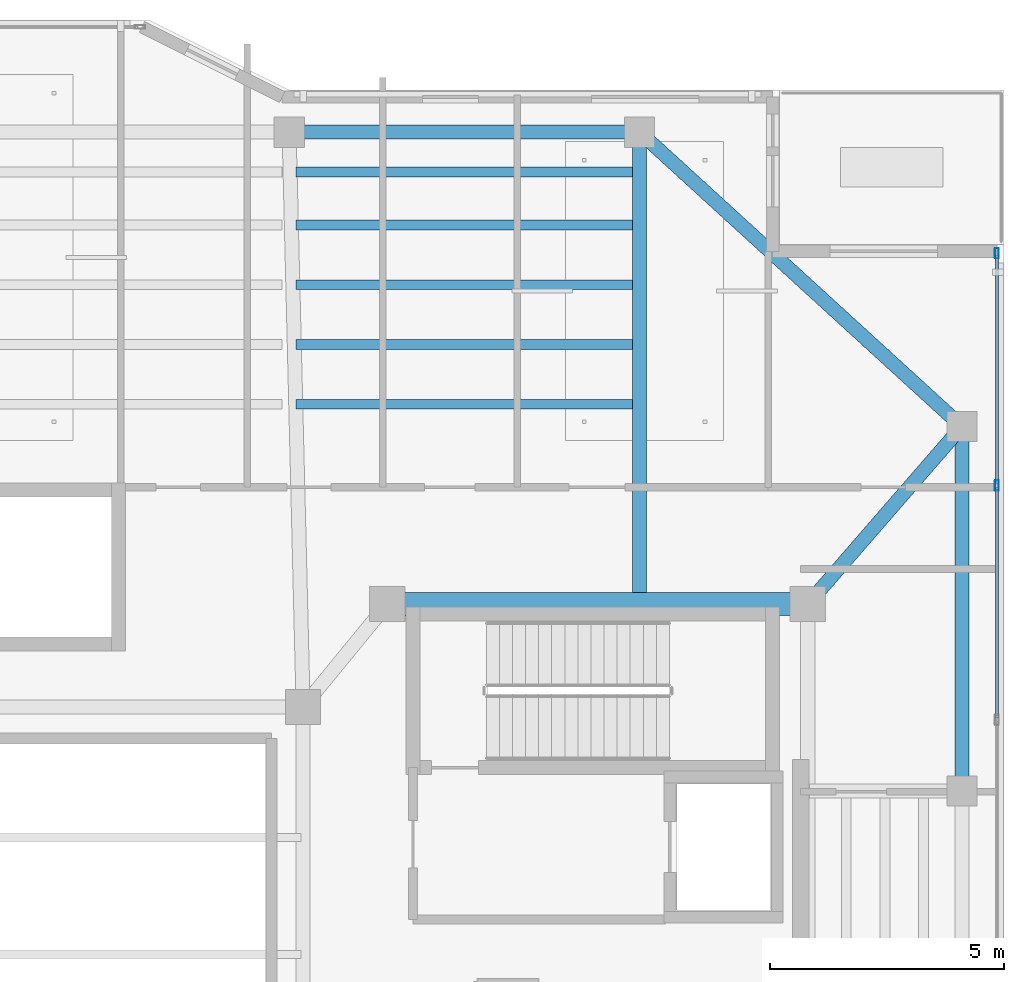
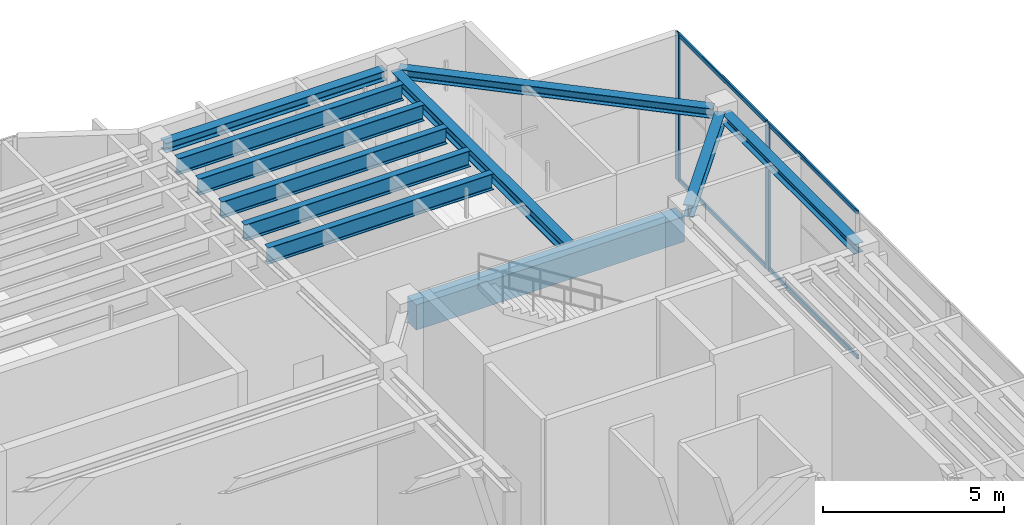
# One storey, part 12 of 23: 11 beams, 6 members, 1 element without a shape of its own.
"""IFC4 building model written with IfcOpenShell, lengths in metres."""

from ifc_helpers import new_model, si_unit, direction, frame, origin, origin_2d, place, context, subcontext, project, spatial, rectangle, hollow_rectangle, i_section, extrude, material, layer, layer_set, material_profile, profile_set, type_object, element, aggregate, save


model = new_model("IFC4")

# Units and contexts
model_context = context("Model", 3, precision=1e-05, world=origin(), true_north=direction((0.0, 1.0)))
body_context = subcontext(model_context, "Body", "Model", "MODEL_VIEW")
ifc_project = project(units=[si_unit("LENGTHUNIT", "METRE"), si_unit("AREAUNIT", "SQUARE_METRE"), si_unit("VOLUMEUNIT", "CUBIC_METRE"), si_unit("PLANEANGLEUNIT", "RADIAN"), si_unit("MASSUNIT", "GRAM", prefix="KILO")], contexts=[model_context])

# Site, building, storey
site_placement = place(None, origin())
site = spatial("IfcSite", under=ifc_project, at=site_placement, CompositionType="ELEMENT")
building_placement = place(site_placement, origin())
building = spatial("IfcBuilding", under=site, at=building_placement, Name="Tarnavaz Court Tower", CompositionType="ELEMENT")
storey_placement = place(building_placement, frame((0.0, 0.0, 276.300048828125)))
storey = spatial("IfcBuildingStorey", under=building, at=storey_placement, Name="L75", CompositionType="ELEMENT", Elevation=276.300048828125)

# Beams
ifc_material_1 = material(Name="Concrete C50/60", Category="concrete")
ifc_material_profile_1 = material_profile(ifc_material_1, rectangle(XDim=0.5, YDim=0.85009765625, at=origin_2d()), Name="RC 500X850")
ifc_profile_set_1 = profile_set([ifc_material_profile_1], Name="Concrete C50/60")
beam_type_1 = type_object("IfcBeamType", Name="BM-CB850", PredefinedType="LINTEL", material=ifc_profile_set_1)
beam_1_placement = place(storey_placement, frame((18.3798828125, 10.0, 4.52490234375), z_axis=(-1.0, 0.0, 0.0), x_axis=(0.0, -1.0, 0.0)))
element("IfcBeam", 1, at=beam_1_placement, inside=storey, type_object=beam_type_1, Name="L75 Beam IN-CE-NO-CE-NI", PredefinedType="LINTEL", context=body_context, shape_type="SweptSolid", body=[
    extrude(rectangle(XDim=0.5, YDim=0.85009765625, at=origin_2d()), origin(), (0.0, 0.0, 1.0), 8.559814453125),
])
ifc_material_2 = material(Name="Steel S355", Category="steel")
ifc_material_profile_2 = material_profile(ifc_material_2, i_section(OverallWidth=0.300048828125, OverallDepth=0.39990234375, WebThickness=0.013427734375, FlangeThickness=0.02392578125, FilletRadius=0.027099609375, at=origin_2d()), Name="HEB 400")
ifc_profile_set_2 = profile_set([ifc_material_profile_2], Name="Steel S355")
beam_type_2 = type_object("IfcBeamType", Name="BM-G-HEB400", PredefinedType="USERDEFINED", material=ifc_profile_set_2)
beam_2_placement = place(storey_placement, frame((15.0, 10.0400390625, 4.75), z_axis=(0.0, 1.0, 0.0), x_axis=(-1.0, 0.0, 0.0)))
element("IfcBeam", 2, at=beam_2_placement, inside=storey, type_object=beam_type_2, Name="L75 Beam RG-04", ObjectType="GIRDER", PredefinedType="USERDEFINED", context=body_context, shape_type="SweptSolid", body=[
    extrude(i_section(OverallWidth=0.300048828125, OverallDepth=0.39990234375, WebThickness=0.013427734375, FlangeThickness=0.02392578125, FilletRadius=0.027099609375, at=origin_2d()), origin(), (0.0, 0.0, 1.0), 9.83984375),
])
beam_3_placement = place(storey_placement, frame((18.744384765625, 10.166015625, 4.75), z_axis=(0.65565475567, 0.755060819648, 0.0), x_axis=(-0.755060819648, 0.65565475567, 0.0)))
element("IfcBeam", 3, at=beam_3_placement, inside=storey, type_object=beam_type_2, Name="L75 Beam RG-12", ObjectType="GIRDER", PredefinedType="USERDEFINED", context=body_context, shape_type="SweptSolid", body=[
    extrude(i_section(OverallWidth=0.300048828125, OverallDepth=0.39990234375, WebThickness=0.013427734375, FlangeThickness=0.02392578125, FilletRadius=0.027099609375, at=origin_2d()), origin(), (0.0, 0.0, 1.0), 4.5927734375),
])
ifc_material_profile_3 = material_profile(ifc_material_2, i_section(OverallWidth=0.2099609375, OverallDepth=0.550048828125, WebThickness=0.010986328125, FlangeThickness=0.01708984375, FilletRadius=0.02392578125, at=origin_2d()), Name="IPE 550")
ifc_profile_set_3 = profile_set([ifc_material_profile_3], Name="Steel S355")
beam_type_3 = type_object("IfcBeamType", Name="BM-J-IPE550", PredefinedType="JOIST", material=ifc_profile_set_3)
for number, where, z_axis, x_axis, name in (
    (4, (7.64990234375, 14.278076171875, 4.675048828125), (1.0, 0.0, 0.0), (0.0, 1.0, 0.0), "L75 Beam JN1-3"),
    (5, (7.64990234375, 15.555908203125, 4.675048828125), (1.0, 0.0, 0.0), (0.0, 1.0, 0.0), "L75 Beam JN2-3"),
    (6, (7.64990234375, 16.833984375, 4.675048828125), (1.0, 0.0, 0.0), (0.0, 1.0, 0.0), "L75 Beam JN3-3"),
    (7, (7.64990234375, 18.112060546875, 4.675048828125), (1.0, 0.0, 0.0), (0.0, 1.0, 0.0), "L75 Beam JN4-3"),
    (8, (7.64990234375, 19.248046875, 4.675048828125), (1.0, 0.0, 0.0), (0.0, 1.0, 0.0), "L75 Beam JN5-3"),
):
    element("IfcBeam", number, at=place(storey_placement, frame(where, z_axis=z_axis, x_axis=x_axis)), inside=storey, type_object=beam_type_3, Name=name, PredefinedType="JOIST", context=body_context, shape_type="SweptSolid", body=[
        extrude(i_section(OverallWidth=0.2099609375, OverallDepth=0.550048828125, WebThickness=0.010986328125, FlangeThickness=0.01708984375, FilletRadius=0.02392578125, at=origin_2d()), origin(), (0.0, 0.0, 1.0), 7.2001953125),
    ])
ifc_material_profile_4 = material_profile(ifc_material_2, i_section(OverallWidth=0.300048828125, OverallDepth=0.330078125, WebThickness=0.009521484375, FlangeThickness=0.0166015625, FilletRadius=0.027099609375, at=origin_2d()), Name="HEA 340")
ifc_profile_set_4 = profile_set([ifc_material_profile_4], Name="Steel S355")
beam_type_4 = type_object("IfcBeamType", Name="BM-SP-HEA340", PredefinedType="BEAM", material=ifc_profile_set_4)
beam_4_placement = place(storey_placement, frame((7.719970703125, 20.10009765625, 4.784912109375), z_axis=(1.0, 0.0, 0.0), x_axis=(0.0, 1.0, 0.0)))
element("IfcBeam", 9, at=beam_4_placement, inside=storey, type_object=beam_type_4, Name="L75 Beam PR-PN-3-PN-4", PredefinedType="BEAM", context=body_context, shape_type="SweptSolid", body=[
    extrude(i_section(OverallWidth=0.300048828125, OverallDepth=0.330078125, WebThickness=0.009521484375, FlangeThickness=0.0166015625, FilletRadius=0.027099609375, at=origin_2d()), origin(), (0.0, 0.0, 1.0), 7.06005859375),
])
beam_5_placement = place(storey_placement, frame((21.89990234375, 6.219970703125, 4.784912109375), z_axis=(0.0, 1.0, 0.0), x_axis=(-1.0, 0.0, 0.0)))
element("IfcBeam", 10, at=beam_5_placement, inside=storey, type_object=beam_type_4, Name="L75 Beam PR-PE-3-PE-4", PredefinedType="BEAM", context=body_context, shape_type="SweptSolid", body=[
    extrude(i_section(OverallWidth=0.300048828125, OverallDepth=0.330078125, WebThickness=0.009521484375, FlangeThickness=0.0166015625, FilletRadius=0.027099609375, at=origin_2d()), origin(), (0.0, 0.0, 1.0), 7.360107421875),
])
beam_6_placement = place(storey_placement, frame((15.16259765625, 19.95166015625, 4.784912109375), z_axis=(0.738474214476, -0.674281717499, 0.0), x_axis=(0.674281717499, 0.738474214476, 0.0)))
element("IfcBeam", 11, at=beam_6_placement, inside=storey, type_object=beam_type_4, Name="L75 Beam PR-PN-4-PE-4", PredefinedType="BEAM", context=body_context, shape_type="SweptSolid", body=[
    extrude(i_section(OverallWidth=0.300048828125, OverallDepth=0.330078125, WebThickness=0.009521484375, FlangeThickness=0.0166015625, FilletRadius=0.027099609375, at=origin_2d()), origin(), (0.0, 0.0, 1.0), 8.9033203125),
])

# Curtain wall, members
ifc_material_3 = material(Name="Anodised Aluminium 6063-T6 and Solar Low-E Glazing", Category="aluminium")
ifc_layer = layer(ifc_material_3, 0.2099609375)
ifc_layer_set = layer_set([ifc_layer], Name="Anodised Aluminium 6063-T6 and Solar Low-E Glazing")
curtain_wall_type = type_object("IfcCurtainWallType", Name="CW-SYS-06", PredefinedType="NOTDEFINED", material=ifc_layer_set)
curtain_wall_placement = place(storey_placement, origin())
curtain_wall = element("IfcCurtainWall", 12, at=curtain_wall_placement, inside=storey, type_object=curtain_wall_type, Name="L75 Observation Curtain Wall 12", PredefinedType="NOTDEFINED")
ifc_material_4 = material(Name="Anodised Aluminium 6063-T6", Category="aluminium")
ifc_material_profile_5 = material_profile(ifc_material_4, hollow_rectangle(XDim=0.0849609375, YDim=0.219970703125, WallThickness=0.006103515625, InnerFilletRadius=0.006103515625, OuterFilletRadius=0.011962890625, at=origin_2d()), Name="ALU RHS 220X85X6")
ifc_profile_set_5 = profile_set([ifc_material_profile_5], Name="Anodised Aluminium 6063-T6")
member_type_1 = type_object("IfcMemberType", Name="CW-MUL-220", PredefinedType="MULLION", material=ifc_profile_set_5)
member_1_placement = place(storey_placement, frame((22.64990234375, 17.507568359375, 0.0), z_axis=(0.0, 0.0, 1.0), x_axis=(1.0, 0.0, 0.0)))
member_1 = element("IfcMember", 13, at=member_1_placement, type_object=member_type_1, Name="CW mullion 1", PredefinedType="MULLION", context=body_context, shape_type="SweptSolid", body=[
    extrude(hollow_rectangle(XDim=0.0849609375, YDim=0.219970703125, WallThickness=0.006103515625, InnerFilletRadius=0.006103515625, OuterFilletRadius=0.011962890625, at=origin_2d()), origin(), (0.0, 0.0, 1.0), 4.949951171875),
])
member_2_placement = place(storey_placement, frame((22.64990234375, 12.53564453125, 0.0), z_axis=(0.0, 0.0, 1.0), x_axis=(1.0, 0.0, 0.0)))
member_2 = element("IfcMember", 14, at=member_2_placement, type_object=member_type_1, Name="CW mullion 2", PredefinedType="MULLION", context=body_context, shape_type="SweptSolid", body=[
    extrude(hollow_rectangle(XDim=0.0849609375, YDim=0.219970703125, WallThickness=0.006103515625, InnerFilletRadius=0.006103515625, OuterFilletRadius=0.011962890625, at=origin_2d()), origin(), (0.0, 0.0, 1.0), 4.949951171875),
])
ifc_material_profile_6 = material_profile(ifc_material_4, hollow_rectangle(XDim=0.06494140625, YDim=0.139892578125, WallThickness=0.00390625, InnerFilletRadius=0.00390625, OuterFilletRadius=0.008056640625, at=origin_2d()), Name="ALU RHS 140X65X4")
ifc_profile_set_6 = profile_set([ifc_material_profile_6], Name="Anodised Aluminium 6063-T6")
member_type_2 = type_object("IfcMemberType", Name="CW-TRN-140", PredefinedType="USERDEFINED", material=ifc_profile_set_6)
member_3_placement = place(storey_placement, frame((22.64990234375, 17.465087890625, 0.032470703125), z_axis=(0.0, -1.0, 0.0), x_axis=(1.0, 0.0, 0.0)))
member_3 = element("IfcMember", 15, at=member_3_placement, type_object=member_type_2, Name="CW transom 1.1", ObjectType="TRANSOM", PredefinedType="USERDEFINED", context=body_context, shape_type="SweptSolid", body=[
    extrude(hollow_rectangle(XDim=0.06494140625, YDim=0.139892578125, WallThickness=0.00390625, InnerFilletRadius=0.00390625, OuterFilletRadius=0.008056640625, at=origin_2d()), origin(), (0.0, 0.0, 1.0), 4.886962890625),
])
member_4_placement = place(storey_placement, frame((22.64990234375, 17.465087890625, 4.91748046875), z_axis=(0.0, -1.0, 0.0), x_axis=(1.0, 0.0, 0.0)))
member_4 = element("IfcMember", 16, at=member_4_placement, type_object=member_type_2, Name="CW transom 1.2", ObjectType="TRANSOM", PredefinedType="USERDEFINED", context=body_context, shape_type="SweptSolid", body=[
    extrude(hollow_rectangle(XDim=0.06494140625, YDim=0.139892578125, WallThickness=0.00390625, InnerFilletRadius=0.00390625, OuterFilletRadius=0.008056640625, at=origin_2d()), origin(), (0.0, 0.0, 1.0), 4.886962890625),
])
member_5_placement = place(storey_placement, frame((22.64990234375, 12.4931640625, 0.032470703125), z_axis=(0.0, -1.0, 0.0), x_axis=(1.0, 0.0, 0.0)))
member_5 = element("IfcMember", 17, at=member_5_placement, type_object=member_type_2, Name="CW transom 2.1", ObjectType="TRANSOM", PredefinedType="USERDEFINED", context=body_context, shape_type="SweptSolid", body=[
    extrude(hollow_rectangle(XDim=0.06494140625, YDim=0.139892578125, WallThickness=0.00390625, InnerFilletRadius=0.00390625, OuterFilletRadius=0.008056640625, at=origin_2d()), origin(), (0.0, 0.0, 1.0), 4.92919921875),
])
member_6_placement = place(storey_placement, frame((22.64990234375, 12.4931640625, 4.91748046875), z_axis=(0.0, -1.0, 0.0), x_axis=(1.0, 0.0, 0.0)))
member_6 = element("IfcMember", 18, at=member_6_placement, type_object=member_type_2, Name="CW transom 2.2", ObjectType="TRANSOM", PredefinedType="USERDEFINED", context=body_context, shape_type="SweptSolid", body=[
    extrude(hollow_rectangle(XDim=0.06494140625, YDim=0.139892578125, WallThickness=0.00390625, InnerFilletRadius=0.00390625, OuterFilletRadius=0.008056640625, at=origin_2d()), origin(), (0.0, 0.0, 1.0), 4.92919921875),
])
aggregate(curtain_wall, [member_1, member_2, member_3, member_4, member_5, member_6])

save(model, "model.ifc")
